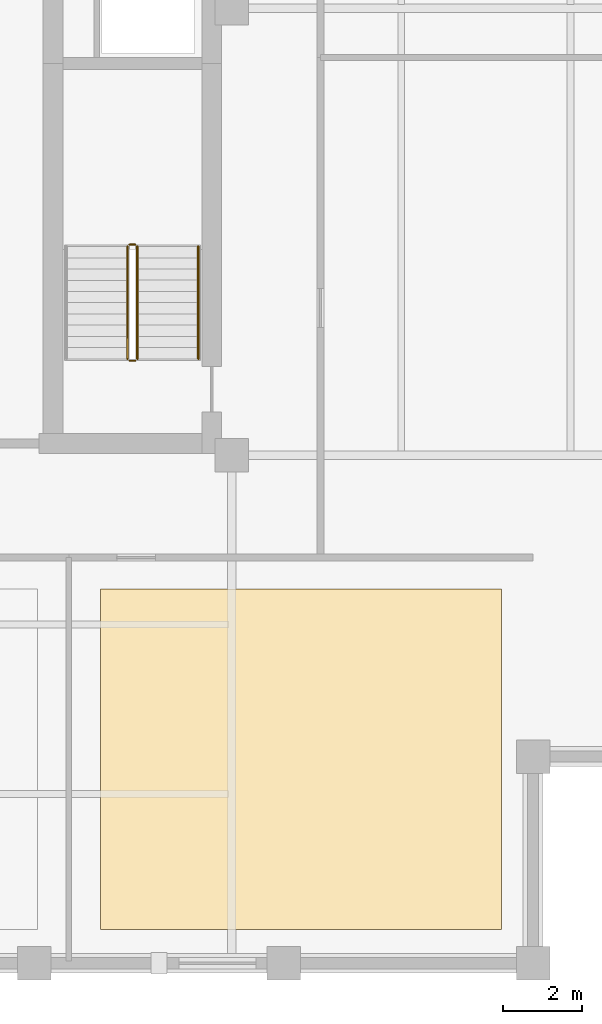
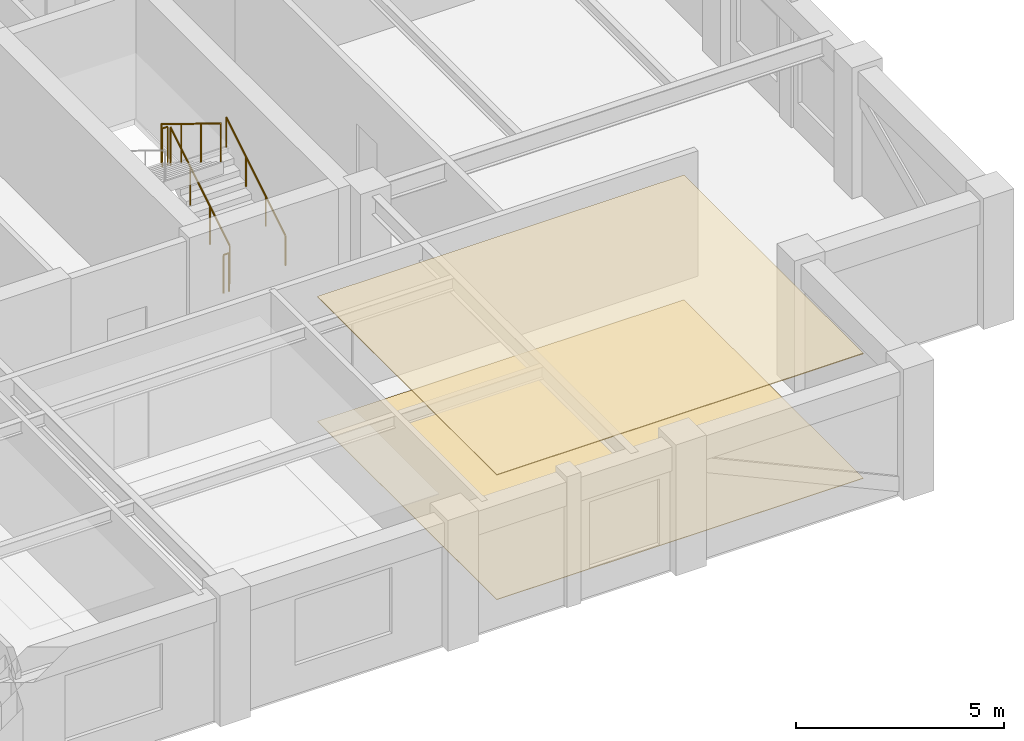
# One storey, part 10 of 11: 5 railings, 2 coverings.
"""IFC4 building model written with IfcOpenShell, lengths in metres."""

from ifc_helpers import new_model, si_unit, direction, frame, origin, origin_2d, place, context, subcontext, project, spatial, polyline, circle, outline, extrude, material, layer, layer_set, type_object, element, save


model = new_model("IFC4")

# Units and contexts
model_context = context("Model", 3, precision=1e-05, world=origin(), true_north=direction((0.0, 1.0)))
body_context = subcontext(model_context, "Body", "Model", "MODEL_VIEW")
ifc_project = project(units=[si_unit("LENGTHUNIT", "METRE"), si_unit("AREAUNIT", "SQUARE_METRE"), si_unit("VOLUMEUNIT", "CUBIC_METRE"), si_unit("PLANEANGLEUNIT", "RADIAN"), si_unit("MASSUNIT", "GRAM", prefix="KILO")], contexts=[model_context])

# Site, building, storey
site_placement = place(None, origin())
site = spatial("IfcSite", under=ifc_project, at=site_placement, CompositionType="ELEMENT")
building_placement = place(site_placement, origin())
building = spatial("IfcBuilding", under=site, at=building_placement, Name="Nhamokura Convention Tower", CompositionType="ELEMENT")
storey_placement = place(building_placement, frame((0.0, 0.0, 198.449951171875)))
storey = spatial("IfcBuildingStorey", under=building, at=storey_placement, Name="L48", CompositionType="ELEMENT", Elevation=198.449951171875)

# Covering
ifc_material_1 = material(Name="Mineral-fibre acoustic ceiling tile", Category="gypsum")
ifc_layer_1 = layer(ifc_material_1, 0.02490234375)
ifc_layer_set_1 = layer_set([ifc_layer_1], Name="AcousticTileCeiling_25")
covering_type_1 = type_object("IfcCoveringType", Name="AcousticTileCeiling_25", PredefinedType="CEILING", material=ifc_layer_set_1)
covering_1_placement = place(storey_placement, frame((0.0, 0.0, 3.66015625)))
element("IfcCovering", 1, at=covering_1_placement, inside=storey, type_object=covering_type_1, Name="L48 Suspended Ceiling 04", PredefinedType="CEILING", context=body_context, shape_type="SweptSolid", body=[
    extrude(outline(polyline([(40.00830078125, 8.610107421875), (50.199951171875, 8.610107421875), (50.199951171875, 17.25), (40.00830078125, 17.25), (40.00830078125, 8.610107421875)])), origin(), (0.0, 0.0, 1.0), 0.02490234375),
])

# Railings
ifc_material_2 = material(Name="Anodised bronze stainless steel", Category="steel")
railing_type_1 = type_object("IfcRailingType", Name="StairWallHandrail_900", PredefinedType="HANDRAIL", material=ifc_material_2)
railing_1_placement = place(storey_placement, frame((42.5, 23.10009765625, 0.175048828125)))
element("IfcRailing", 2, at=railing_1_placement, inside=storey, type_object=railing_type_1, Name="L48 ST-02 stair handrail 1", PredefinedType="HANDRAIL", context=body_context, shape_type="SweptSolid", body=[
    extrude(circle(Radius=0.02392578125, at=origin_2d()), frame((0.0, 0.0, 0.8759765625), z_axis=(0.0, 0.852159232446, 0.523282564737), x_axis=(-1.0, 0.0, 0.0)), (0.0, 0.0, 1.0), 3.34423828125),
    extrude(circle(Radius=0.02099609375, at=origin_2d()), origin(), (0.0, 0.0, 1.0), 0.851806640625),
    extrude(circle(Radius=0.02099609375, at=origin_2d()), frame((0.0, 0.949951171875, 0.583251953125)), (0.0, 0.0, 1.0), 0.851806640625),
    extrude(circle(Radius=0.02099609375, at=origin_2d()), frame((0.0, 1.89990234375, 1.166748046875)), (0.0, 0.0, 1.0), 0.851806640625),
    extrude(circle(Radius=0.02099609375, at=origin_2d()), frame((0.0, 2.849853515625, 1.75)), (0.0, 0.0, 1.0), 0.851806640625),
])
ifc_material_3 = material(Name="Painted tubular steel", Category="steel")
railing_type_2 = type_object("IfcRailingType", Name="StairWellGuardrail_1150", PredefinedType="GUARDRAIL", material=ifc_material_3)
railing_2_placement = place(storey_placement, frame((40.949951171875, 23.10009765625, 0.175048828125)))
element("IfcRailing", 3, at=railing_2_placement, inside=storey, type_object=railing_type_2, Name="L48 ST-02 stair guard 1", PredefinedType="GUARDRAIL", context=body_context, shape_type="SweptSolid", body=[
    extrude(circle(Radius=0.02392578125, at=origin_2d()), frame((0.0, 0.0, 1.1259765625), z_axis=(0.0, 0.852159232446, 0.523282564737), x_axis=(-1.0, 0.0, 0.0)), (0.0, 0.0, 1.0), 3.34423828125),
    extrude(circle(Radius=0.02099609375, at=origin_2d()), origin(), (0.0, 0.0, 1.0), 1.101806640625),
    extrude(circle(Radius=0.02099609375, at=origin_2d()), frame((0.0, 0.949951171875, 0.583251953125)), (0.0, 0.0, 1.0), 1.101806640625),
    extrude(circle(Radius=0.02099609375, at=origin_2d()), frame((0.0, 1.89990234375, 1.166748046875)), (0.0, 0.0, 1.0), 1.101806640625),
    extrude(circle(Radius=0.02099609375, at=origin_2d()), frame((0.0, 2.849853515625, 1.75)), (0.0, 0.0, 1.0), 1.101806640625),
])
railing_3_placement = place(storey_placement, frame((40.89990234375, 26.0, 1.925048828125)))
element("IfcRailing", 4, at=railing_3_placement, inside=storey, type_object=railing_type_2, Name="L48 ST-02 stair guard 2", PredefinedType="GUARDRAIL", context=body_context, shape_type="SweptSolid", body=[
    extrude(circle(Radius=0.02392578125, at=origin_2d()), frame((0.0, 0.0, 1.1259765625), z_axis=(-1.0, 0.0, 0.0), x_axis=(0.0, -1.0, 0.0)), (0.0, 0.0, 1.0), 0.14990234375),
    extrude(circle(Radius=0.02099609375, at=origin_2d()), origin(), (0.0, 0.0, 1.0), 1.101806640625),
    extrude(circle(Radius=0.02099609375, at=origin_2d()), frame((-0.14990234375, 0.0, 0.0)), (0.0, 0.0, 1.0), 1.101806640625),
])
railing_4_placement = place(storey_placement, frame((40.699951171875, 25.949951171875, 2.10009765625)))
element("IfcRailing", 5, at=railing_4_placement, inside=storey, type_object=railing_type_2, Name="L48 ST-02 stair guard 3", PredefinedType="GUARDRAIL", context=body_context, shape_type="SweptSolid", body=[
    extrude(circle(Radius=0.02392578125, at=origin_2d()), frame((0.0, 0.0, 1.1259765625), z_axis=(0.0, -0.852159232446, 0.523282564737), x_axis=(1.0, 0.0, 0.0)), (0.0, 0.0, 1.0), 3.34423828125),
    extrude(circle(Radius=0.02099609375, at=origin_2d()), origin(), (0.0, 0.0, 1.0), 1.101806640625),
    extrude(circle(Radius=0.02099609375, at=origin_2d()), frame((0.0, -0.949951171875, 0.583251953125)), (0.0, 0.0, 1.0), 1.101806640625),
    extrude(circle(Radius=0.02099609375, at=origin_2d()), frame((0.0, -1.89990234375, 1.166748046875)), (0.0, 0.0, 1.0), 1.101806640625),
    extrude(circle(Radius=0.02099609375, at=origin_2d()), frame((0.0, -2.849853515625, 1.75)), (0.0, 0.0, 1.0), 1.101806640625),
])
railing_5_placement = place(storey_placement, frame((40.89990234375, 23.050048828125, 0.0)))
element("IfcRailing", 6, at=railing_5_placement, inside=storey, type_object=railing_type_2, Name="L48 ST-02 stair guard 4", PredefinedType="GUARDRAIL", context=body_context, shape_type="SweptSolid", body=[
    extrude(circle(Radius=0.02392578125, at=origin_2d()), frame((0.0, 0.0, 1.1259765625), z_axis=(-1.0, 0.0, 0.0), x_axis=(0.0, -1.0, 0.0)), (0.0, 0.0, 1.0), 0.14990234375),
    extrude(circle(Radius=0.02099609375, at=origin_2d()), origin(), (0.0, 0.0, 1.0), 1.101806640625),
    extrude(circle(Radius=0.02099609375, at=origin_2d()), frame((-0.14990234375, 0.0, 0.0)), (0.0, 0.0, 1.0), 1.101806640625),
])

# Covering
ifc_material_4 = material(Name="Acoustic woven hospitality carpet", Category="wood")
ifc_layer_2 = layer(ifc_material_4, 0.014892578125)
ifc_layer_set_2 = layer_set([ifc_layer_2], Name="WovenCarpetFlooring_15")
covering_type_2 = type_object("IfcCoveringType", Name="WovenCarpetFlooring_15", PredefinedType="FLOORING", material=ifc_layer_set_2)
covering_2_placement = place(storey_placement, origin())
element("IfcCovering", 7, at=covering_2_placement, inside=storey, type_object=covering_type_2, Name="L48 Finish Flooring 04", PredefinedType="FLOORING", context=body_context, shape_type="SweptSolid", body=[
    extrude(outline(polyline([(40.00830078125, 8.610107421875), (50.199951171875, 8.610107421875), (50.199951171875, 17.25), (40.00830078125, 17.25), (40.00830078125, 8.610107421875)])), origin(), (0.0, 0.0, 1.0), 0.01513671875),
])

save(model, "model.ifc")
